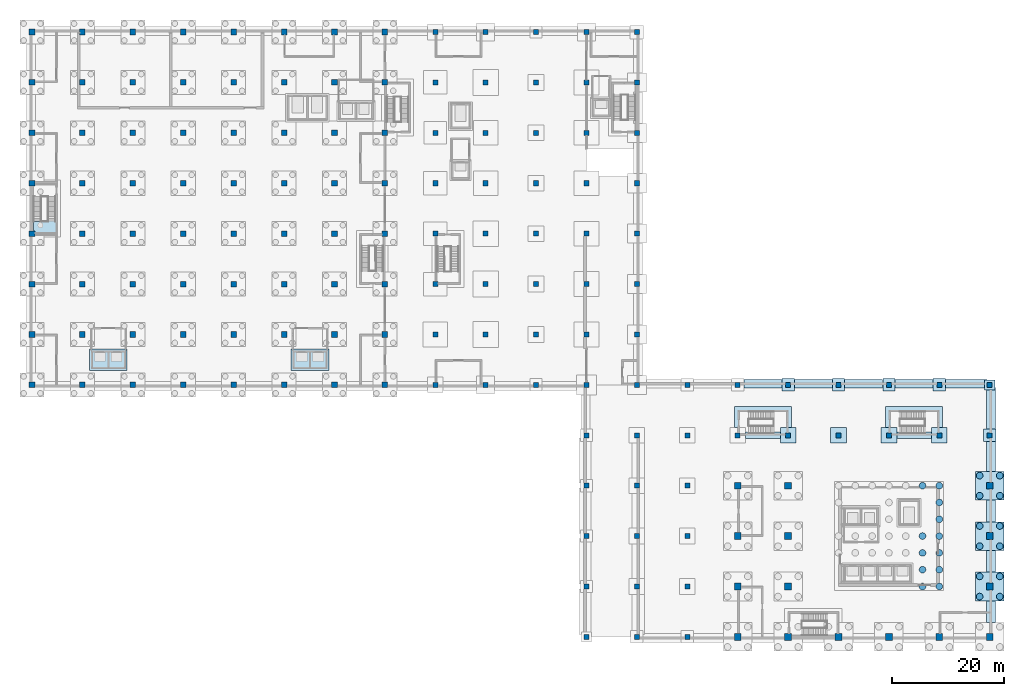
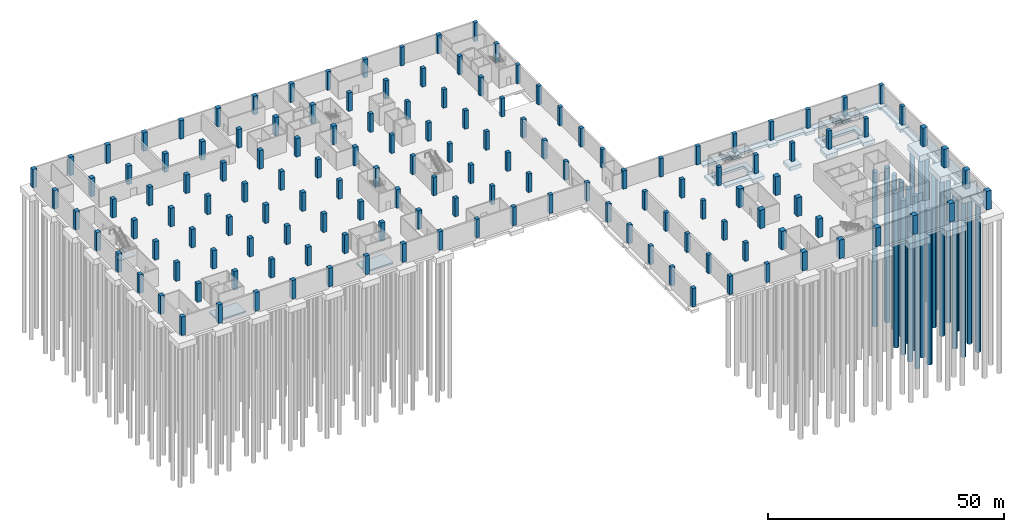
# One storey, part 4 of 17: 147 columns, 27 footings, 24 piles, 3 slabs, 1 element without a shape of its own.
"""IFC4 building model written with IfcOpenShell, lengths in metres."""

from ifc_helpers import new_model, si_unit, direction, frame, origin, origin_2d, place, context, subcontext, project, spatial, polyline, rectangle, circle, outline, extrude, material, layer, layer_set, material_profile, profile_set, type_object, element, aggregate, save


model = new_model("IFC4")

# Units and contexts
model_context = context("Model", 3, precision=1e-05, world=origin(), true_north=direction((0.0, 1.0)))
body_context = subcontext(model_context, "Body", "Model", "MODEL_VIEW")
ifc_project = project(units=[si_unit("LENGTHUNIT", "METRE"), si_unit("AREAUNIT", "SQUARE_METRE"), si_unit("VOLUMEUNIT", "CUBIC_METRE"), si_unit("PLANEANGLEUNIT", "RADIAN"), si_unit("MASSUNIT", "GRAM", prefix="KILO")], contexts=[model_context])

# Site, building, storey
site_placement = place(None, origin())
site = spatial("IfcSite", under=ifc_project, at=site_placement, CompositionType="ELEMENT")
building_placement = place(site_placement, origin())
building = spatial("IfcBuilding", under=site, at=building_placement, Name="Guidao Yard Department Store", CompositionType="ELEMENT")
storey_placement = place(building_placement, frame((0.0, 0.0, -9.89990234375)))
storey = spatial("IfcBuildingStorey", under=building, at=storey_placement, Name="B2", CompositionType="ELEMENT", Elevation=-9.89990234375)

# Piles
ifc_material_1 = material(Name="Concrete C40", Category="concrete")
ifc_material_profile_1 = material_profile(ifc_material_1, circle(Radius=0.60009765625, at=origin_2d()), Name="Bored pile D1200")
ifc_profile_set_1 = profile_set([ifc_material_profile_1], Name="Concrete C40")
pile_type = type_object("IfcPileType", Name="Bored pile D1200", PredefinedType="BORED", material=ifc_profile_set_1)
for number, where, z_axis, x_axis, name in (
    (1, (169.199951171875, 7.199951171875, -2.0), (0.0, 0.0, -1.0), (1.0, 0.0, 0.0), "Bored pile 20/B-1"),
    (2, (172.800048828125, 7.199951171875, -2.0), (0.0, 0.0, -1.0), (1.0, 0.0, 0.0), "Bored pile 20/B-2"),
    (3, (169.199951171875, 10.800048828125, -2.0), (0.0, 0.0, -1.0), (1.0, 0.0, 0.0), "Bored pile 20/B-3"),
    (4, (172.800048828125, 10.800048828125, -2.0), (0.0, 0.0, -1.0), (1.0, 0.0, 0.0), "Bored pile 20/B-4"),
    (5, (169.199951171875, 16.199951171875, -2.0), (0.0, 0.0, -1.0), (1.0, 0.0, 0.0), "Bored pile 20/C-1"),
    (6, (172.800048828125, 16.199951171875, -2.0), (0.0, 0.0, -1.0), (1.0, 0.0, 0.0), "Bored pile 20/C-2"),
    (7, (169.199951171875, 19.800048828125, -2.0), (0.0, 0.0, -1.0), (1.0, 0.0, 0.0), "Bored pile 20/C-3"),
    (8, (172.800048828125, 19.800048828125, -2.0), (0.0, 0.0, -1.0), (1.0, 0.0, 0.0), "Bored pile 20/C-4"),
    (9, (169.199951171875, 25.199951171875, -2.0), (0.0, 0.0, -1.0), (1.0, 0.0, 0.0), "Bored pile 20/D-1"),
    (10, (172.800048828125, 25.199951171875, -2.0), (0.0, 0.0, -1.0), (1.0, 0.0, 0.0), "Bored pile 20/D-2"),
    (11, (169.199951171875, 28.800048828125, -2.0), (0.0, 0.0, -1.0), (1.0, 0.0, 0.0), "Bored pile 20/D-3"),
    (12, (172.800048828125, 28.800048828125, -2.0), (0.0, 0.0, -1.0), (1.0, 0.0, 0.0), "Bored pile 20/D-4"),
    (13, (159.0, 9.0, -2.5), (0.0, 0.0, -1.0), (1.0, 0.0, 0.0), "Bored pile R006"),
    (14, (162.0, 9.0, -2.5), (0.0, 0.0, -1.0), (1.0, 0.0, 0.0), "Bored pile R007"),
    (15, (159.0, 12.0, -2.5), (0.0, 0.0, -1.0), (1.0, 0.0, 0.0), "Bored pile R013"),
    (16, (162.0, 12.0, -2.5), (0.0, 0.0, -1.0), (1.0, 0.0, 0.0), "Bored pile R014"),
    (17, (159.0, 15.0, -2.5), (0.0, 0.0, -1.0), (1.0, 0.0, 0.0), "Bored pile R020"),
    (18, (162.0, 15.0, -2.5), (0.0, 0.0, -1.0), (1.0, 0.0, 0.0), "Bored pile R021"),
    (19, (159.0, 18.0, -2.5), (0.0, 0.0, -1.0), (1.0, 0.0, 0.0), "Bored pile R027"),
    (20, (162.0, 18.0, -2.5), (0.0, 0.0, -1.0), (1.0, 0.0, 0.0), "Bored pile R028"),
    (21, (162.0, 21.0, -2.5), (0.0, 0.0, -1.0), (1.0, 0.0, 0.0), "Bored pile R035"),
    (22, (162.0, 24.0, -2.5), (0.0, 0.0, -1.0), (1.0, 0.0, 0.0), "Bored pile R042"),
    (23, (159.0, 27.0, -2.5), (0.0, 0.0, -1.0), (1.0, 0.0, 0.0), "Bored pile R048"),
    (24, (162.0, 27.0, -2.5), (0.0, 0.0, -1.0), (1.0, 0.0, 0.0), "Bored pile R049"),
):
    element("IfcPile", number, at=place(storey_placement, frame(where, z_axis=z_axis, x_axis=x_axis)), inside=storey, type_object=pile_type, Name=name, PredefinedType="BORED", context=body_context, shape_type="SweptSolid", body=[
        extrude(circle(Radius=0.60009765625, at=origin_2d()), origin(), (0.0, 0.0, 1.0), 40.0),
    ])

# Footings
ifc_material_2 = material(Name="Concrete C40", Category="concrete")
footing_type_1 = type_object("IfcFootingType", Name="Pad footing 1800x1800x700 C40", PredefinedType="PAD_FOOTING", material=ifc_material_2)
footing_1_placement = place(storey_placement, frame((171.0, 45.0, -1.2001953125), z_axis=(0.0, 0.0, 1.0), x_axis=(1.0, 0.0, 0.0)))
element("IfcFooting", 25, at=footing_1_placement, inside=storey, type_object=footing_type_1, Name="Pad footing 20/F", PredefinedType="PAD_FOOTING", context=body_context, shape_type="SweptSolid", body=[
    extrude(rectangle(XDim=1.800048828125, YDim=1.800048828125, at=origin_2d()), origin(), (0.0, 0.0, 1.0), 0.699951171875),
])
ifc_material_3 = material(Name="Concrete C40", Category="concrete")
footing_type_2 = type_object("IfcFootingType", Name="Pad footing 2200x2200x800 C40", PredefinedType="PAD_FOOTING", material=ifc_material_3)
for number, where, z_axis, x_axis, name in (
    (26, (171.0, 36.0, -1.30029296875), (0.0, 0.0, 1.0), (1.0, 0.0, 0.0), "Pad footing 20/E"),
    (27, (135.0, 45.0, -1.30029296875), (0.0, 0.0, 1.0), (1.0, 0.0, 0.0), "Pad footing 16/F"),
    (28, (144.0, 45.0, -1.30029296875), (0.0, 0.0, 1.0), (1.0, 0.0, 0.0), "Pad footing 17/F"),
    (29, (153.0, 45.0, -1.30029296875), (0.0, 0.0, 1.0), (1.0, 0.0, 0.0), "Pad footing 18/F"),
    (30, (162.0, 45.0, -1.30029296875), (0.0, 0.0, 1.0), (1.0, 0.0, 0.0), "Pad footing 19/F"),
):
    element("IfcFooting", number, at=place(storey_placement, frame(where, z_axis=z_axis, x_axis=x_axis)), inside=storey, type_object=footing_type_2, Name=name, PredefinedType="PAD_FOOTING", context=body_context, shape_type="SweptSolid", body=[
        extrude(rectangle(XDim=2.199951171875, YDim=2.199951171875, at=origin_2d()), origin(), (0.0, 0.0, 1.0), 0.800048828125),
    ])
ifc_material_4 = material(Name="Concrete C40", Category="concrete")
footing_type_3 = type_object("IfcFootingType", Name="Pad footing 2800x2800x1000 C40", PredefinedType="PAD_FOOTING", material=ifc_material_4)
for number, where, z_axis, x_axis, name in (
    (31, (135.0, 36.0, -1.5), (0.0, 0.0, 1.0), (1.0, 0.0, 0.0), "Pad footing 16/E"),
    (32, (144.0, 36.0, -1.5), (0.0, 0.0, 1.0), (1.0, 0.0, 0.0), "Pad footing 17/E"),
    (33, (153.0, 36.0, -1.5), (0.0, 0.0, 1.0), (1.0, 0.0, 0.0), "Pad footing 18/E"),
    (34, (162.0, 36.0, -1.5), (0.0, 0.0, 1.0), (1.0, 0.0, 0.0), "Pad footing 19/E"),
):
    element("IfcFooting", number, at=place(storey_placement, frame(where, z_axis=z_axis, x_axis=x_axis)), inside=storey, type_object=footing_type_3, Name=name, PredefinedType="PAD_FOOTING", context=body_context, shape_type="SweptSolid", body=[
        extrude(rectangle(XDim=2.800048828125, YDim=2.800048828125, at=origin_2d()), origin(), (0.0, 0.0, 1.0), 1.0),
    ])
ifc_material_5 = material(Name="Concrete C40", Category="concrete")
footing_type_4 = type_object("IfcFootingType", Name="Pile cap 5100x5100x1500 C40", PredefinedType="PILE_CAP", material=ifc_material_5)
for number, where, z_axis, x_axis, name in (
    (35, (171.0, 9.0, -2.0), (0.0, 0.0, 1.0), (1.0, 0.0, 0.0), "Pile cap 20/B"),
    (36, (171.0, 18.0, -2.0), (0.0, 0.0, 1.0), (1.0, 0.0, 0.0), "Pile cap 20/C"),
    (37, (171.0, 27.0, -2.0), (0.0, 0.0, 1.0), (1.0, 0.0, 0.0), "Pile cap 20/D"),
):
    element("IfcFooting", number, at=place(storey_placement, frame(where, z_axis=z_axis, x_axis=x_axis)), inside=storey, type_object=footing_type_4, Name=name, PredefinedType="PILE_CAP", context=body_context, shape_type="SweptSolid", body=[
        extrude(rectangle(XDim=5.10009765625, YDim=5.10009765625, at=origin_2d()), origin(), (0.0, 0.0, 1.0), 1.5),
    ])
ifc_material_6 = material(Name="Concrete C40", Category="concrete")
footing_type_5 = type_object("IfcFootingType", Name="Strip footing 1200x600 C40", PredefinedType="STRIP_FOOTING", material=ifc_material_6)
footing_2_placement = place(storey_placement, frame((0.0, 0.0, -1.10009765625)))
element("IfcFooting", 38, at=footing_2_placement, inside=storey, type_object=footing_type_5, Name="Strip footing SF21", PredefinedType="STRIP_FOOTING", context=body_context, shape_type="SweptSolid", body=[
    extrude(outline(polyline([(127.39990234375, 35.39990234375), (133.60009765625, 35.39990234375), (133.60009765625, 36.60009765625), (127.39990234375, 36.60009765625), (127.39990234375, 35.39990234375)])), origin(), (0.0, 0.0, 1.0), 0.60009765625),
])
footing_3_placement = place(storey_placement, frame((0.0, 0.0, -1.10009765625)))
element("IfcFooting", 39, at=footing_3_placement, inside=storey, type_object=footing_type_5, Name="Strip footing SF22", PredefinedType="STRIP_FOOTING", context=body_context, shape_type="SweptSolid", body=[
    extrude(outline(polyline([(154.39990234375, 35.39990234375), (160.60009765625, 35.39990234375), (160.60009765625, 36.60009765625), (154.39990234375, 36.60009765625), (154.39990234375, 35.39990234375)])), origin(), (0.0, 0.0, 1.0), 0.60009765625),
])
footing_4_placement = place(storey_placement, frame((0.0, 0.0, -1.10009765625)))
element("IfcFooting", 40, at=footing_4_placement, inside=storey, type_object=footing_type_5, Name="Strip footing SF25", PredefinedType="STRIP_FOOTING", context=body_context, shape_type="SweptSolid", body=[
    extrude(outline(polyline([(135.60009765625, 41.10009765625), (125.39990234375, 41.10009765625), (125.39990234375, 37.39990234375), (126.60009765625, 37.39990234375), (126.60009765625, 39.89990234375), (134.39990234375, 39.89990234375), (134.39990234375, 37.39990234375), (135.60009765625, 37.39990234375), (135.60009765625, 41.10009765625)])), origin(), (0.0, 0.0, 1.0), 0.60009765625),
])
footing_5_placement = place(storey_placement, frame((0.0, 0.0, -1.10009765625)))
element("IfcFooting", 41, at=footing_5_placement, inside=storey, type_object=footing_type_5, Name="Strip footing SF26", PredefinedType="STRIP_FOOTING", context=body_context, shape_type="SweptSolid", body=[
    extrude(outline(polyline([(162.60009765625, 41.10009765625), (152.39990234375, 41.10009765625), (152.39990234375, 37.39990234375), (153.60009765625, 37.39990234375), (153.60009765625, 39.89990234375), (161.39990234375, 39.89990234375), (161.39990234375, 37.39990234375), (162.60009765625, 37.39990234375), (162.60009765625, 41.10009765625)])), origin(), (0.0, 0.0, 1.0), 0.60009765625),
])
ifc_material_7 = material(Name="Concrete C40", Category="concrete")
footing_type_6 = type_object("IfcFootingType", Name="Strip footing 1600x600 C40", PredefinedType="STRIP_FOOTING", material=ifc_material_7)
footing_6_placement = place(storey_placement, frame((0.0, 0.0, -1.10009765625)))
element("IfcFooting", 42, at=footing_6_placement, inside=storey, type_object=footing_type_6, Name="Strip footing SF11", PredefinedType="STRIP_FOOTING", context=body_context, shape_type="SweptSolid", body=[
    extrude(outline(polyline([(170.39990234375, 6.449951171875), (170.39990234375, 2.550048828125), (172.0, 2.550048828125), (172.0, 6.449951171875), (170.39990234375, 6.449951171875)])), origin(), (0.0, 0.0, 1.0), 0.60009765625),
])
footing_7_placement = place(storey_placement, frame((0.0, 0.0, -1.10009765625)))
element("IfcFooting", 43, at=footing_7_placement, inside=storey, type_object=footing_type_6, Name="Strip footing SF14", PredefinedType="STRIP_FOOTING", context=body_context, shape_type="SweptSolid", body=[
    extrude(outline(polyline([(172.0, 11.550048828125), (172.0, 15.449951171875), (170.39990234375, 15.449951171875), (170.39990234375, 11.550048828125), (172.0, 11.550048828125)])), origin(), (0.0, 0.0, 1.0), 0.60009765625),
])
footing_8_placement = place(storey_placement, frame((0.0, 0.0, -1.10009765625)))
element("IfcFooting", 44, at=footing_8_placement, inside=storey, type_object=footing_type_6, Name="Strip footing SF17", PredefinedType="STRIP_FOOTING", context=body_context, shape_type="SweptSolid", body=[
    extrude(outline(polyline([(172.0, 20.550048828125), (172.0, 24.449951171875), (170.39990234375, 24.449951171875), (170.39990234375, 20.550048828125), (172.0, 20.550048828125)])), origin(), (0.0, 0.0, 1.0), 0.60009765625),
])
footing_9_placement = place(storey_placement, frame((0.0, 0.0, -1.10009765625)))
element("IfcFooting", 45, at=footing_9_placement, inside=storey, type_object=footing_type_6, Name="Strip footing SF20", PredefinedType="STRIP_FOOTING", context=body_context, shape_type="SweptSolid", body=[
    extrude(outline(polyline([(172.0, 29.550048828125), (172.0, 34.89990234375), (170.39990234375, 34.89990234375), (170.39990234375, 29.550048828125), (172.0, 29.550048828125)])), origin(), (0.0, 0.0, 1.0), 0.60009765625),
])
footing_10_placement = place(storey_placement, frame((0.0, 0.0, -1.10009765625)))
element("IfcFooting", 46, at=footing_10_placement, inside=storey, type_object=footing_type_6, Name="Strip footing SF24", PredefinedType="STRIP_FOOTING", context=body_context, shape_type="SweptSolid", body=[
    extrude(outline(polyline([(172.0, 44.550048828125), (171.89990234375, 44.550048828125), (171.89990234375, 44.10009765625), (170.39990234375, 44.10009765625), (170.39990234375, 37.10009765625), (172.0, 37.10009765625), (172.0, 44.550048828125)])), origin(), (0.0, 0.0, 1.0), 0.60009765625),
])
footing_11_placement = place(storey_placement, frame((0.0, 0.0, -1.10009765625)))
element("IfcFooting", 47, at=footing_11_placement, inside=storey, type_object=footing_type_6, Name="Strip footing SF40", PredefinedType="STRIP_FOOTING", context=body_context, shape_type="SweptSolid", body=[
    extrude(outline(polyline([(127.10009765625, 44.39990234375), (133.89990234375, 44.39990234375), (133.89990234375, 46.0), (127.10009765625, 46.0), (127.10009765625, 44.39990234375)])), origin(), (0.0, 0.0, 1.0), 0.60009765625),
])
footing_12_placement = place(storey_placement, frame((0.0, 0.0, -1.10009765625)))
element("IfcFooting", 48, at=footing_12_placement, inside=storey, type_object=footing_type_6, Name="Strip footing SF41", PredefinedType="STRIP_FOOTING", context=body_context, shape_type="SweptSolid", body=[
    extrude(outline(polyline([(136.10009765625, 44.39990234375), (142.89990234375, 44.39990234375), (142.89990234375, 46.0), (136.10009765625, 46.0), (136.10009765625, 44.39990234375)])), origin(), (0.0, 0.0, 1.0), 0.60009765625),
])
footing_13_placement = place(storey_placement, frame((0.0, 0.0, -1.10009765625)))
element("IfcFooting", 49, at=footing_13_placement, inside=storey, type_object=footing_type_6, Name="Strip footing SF42", PredefinedType="STRIP_FOOTING", context=body_context, shape_type="SweptSolid", body=[
    extrude(outline(polyline([(145.10009765625, 44.39990234375), (151.89990234375, 44.39990234375), (151.89990234375, 46.0), (145.10009765625, 46.0), (145.10009765625, 44.39990234375)])), origin(), (0.0, 0.0, 1.0), 0.60009765625),
])
footing_14_placement = place(storey_placement, frame((0.0, 0.0, -1.10009765625)))
element("IfcFooting", 50, at=footing_14_placement, inside=storey, type_object=footing_type_6, Name="Strip footing SF43", PredefinedType="STRIP_FOOTING", context=body_context, shape_type="SweptSolid", body=[
    extrude(outline(polyline([(154.10009765625, 44.39990234375), (160.89990234375, 44.39990234375), (160.89990234375, 46.0), (154.10009765625, 46.0), (154.10009765625, 44.39990234375)])), origin(), (0.0, 0.0, 1.0), 0.60009765625),
])
footing_15_placement = place(storey_placement, frame((0.0, 0.0, -1.10009765625)))
element("IfcFooting", 51, at=footing_15_placement, inside=storey, type_object=footing_type_6, Name="Strip footing SF44", PredefinedType="STRIP_FOOTING", context=body_context, shape_type="SweptSolid", body=[
    extrude(outline(polyline([(170.550048828125, 46.0), (163.10009765625, 46.0), (163.10009765625, 44.39990234375), (170.10009765625, 44.39990234375), (170.10009765625, 45.89990234375), (170.550048828125, 45.89990234375), (170.550048828125, 46.0)])), origin(), (0.0, 0.0, 1.0), 0.60009765625),
])

# Columns
ifc_material_8 = material(Name="Concrete C50", Category="concrete")
ifc_material_profile_2 = material_profile(ifc_material_8, rectangle(XDim=1.0, YDim=1.0, at=origin_2d()), Name="COL 1000x1000")
ifc_profile_set_2 = profile_set([ifc_material_profile_2], Name="Concrete C50")
column_type_1 = type_object("IfcColumnType", Name="Column 1000x1000 C50", PredefinedType="COLUMN", material=ifc_profile_set_2)
for number, where, z_axis, x_axis, name in (
    (52, (0.0, 45.0, 0.0), (0.0, 0.0, 1.0), (1.0, 0.0, 0.0), "Column 1/F B2"),
    (53, (9.0, 45.0, 0.0), (0.0, 0.0, 1.0), (1.0, 0.0, 0.0), "Column 2/F B2"),
    (54, (18.0, 45.0, 0.0), (0.0, 0.0, 1.0), (1.0, 0.0, 0.0), "Column 3/F B2"),
    (55, (27.0, 45.0, 0.0), (0.0, 0.0, 1.0), (1.0, 0.0, 0.0), "Column 4/F B2"),
    (56, (36.0, 45.0, 0.0), (0.0, 0.0, 1.0), (1.0, 0.0, 0.0), "Column 5/F B2"),
    (57, (45.0, 45.0, 0.0), (0.0, 0.0, 1.0), (1.0, 0.0, 0.0), "Column 6/F B2"),
    (58, (54.0, 45.0, 0.0), (0.0, 0.0, 1.0), (1.0, 0.0, 0.0), "Column 7/F B2"),
    (59, (63.0, 45.0, 0.0), (0.0, 0.0, 1.0), (1.0, 0.0, 0.0), "Column 8/F B2"),
    (60, (0.0, 54.0, 0.0), (0.0, 0.0, 1.0), (1.0, 0.0, 0.0), "Column 1/G B2"),
    (61, (9.0, 54.0, 0.0), (0.0, 0.0, 1.0), (1.0, 0.0, 0.0), "Column 2/G B2"),
    (62, (18.0, 54.0, 0.0), (0.0, 0.0, 1.0), (1.0, 0.0, 0.0), "Column 3/G B2"),
    (63, (27.0, 54.0, 0.0), (0.0, 0.0, 1.0), (1.0, 0.0, 0.0), "Column 4/G B2"),
    (64, (36.0, 54.0, 0.0), (0.0, 0.0, 1.0), (1.0, 0.0, 0.0), "Column 5/G B2"),
    (65, (45.0, 54.0, 0.0), (0.0, 0.0, 1.0), (1.0, 0.0, 0.0), "Column 6/G B2"),
    (66, (54.0, 54.0, 0.0), (0.0, 0.0, 1.0), (1.0, 0.0, 0.0), "Column 7/G B2"),
    (67, (63.0, 54.0, 0.0), (0.0, 0.0, 1.0), (1.0, 0.0, 0.0), "Column 8/G B2"),
    (68, (0.0, 63.0, 0.0), (0.0, 0.0, 1.0), (1.0, 0.0, 0.0), "Column 1/H B2"),
    (69, (9.0, 63.0, 0.0), (0.0, 0.0, 1.0), (1.0, 0.0, 0.0), "Column 2/H B2"),
    (70, (18.0, 63.0, 0.0), (0.0, 0.0, 1.0), (1.0, 0.0, 0.0), "Column 3/H B2"),
    (71, (27.0, 63.0, 0.0), (0.0, 0.0, 1.0), (1.0, 0.0, 0.0), "Column 4/H B2"),
    (72, (36.0, 63.0, 0.0), (0.0, 0.0, 1.0), (1.0, 0.0, 0.0), "Column 5/H B2"),
    (73, (45.0, 63.0, 0.0), (0.0, 0.0, 1.0), (1.0, 0.0, 0.0), "Column 6/H B2"),
    (74, (54.0, 63.0, 0.0), (0.0, 0.0, 1.0), (1.0, 0.0, 0.0), "Column 7/H B2"),
    (75, (63.0, 63.0, 0.0), (0.0, 0.0, 1.0), (1.0, 0.0, 0.0), "Column 8/H B2"),
    (76, (0.0, 72.0, 0.0), (0.0, 0.0, 1.0), (1.0, 0.0, 0.0), "Column 1/J B2"),
    (77, (9.0, 72.0, 0.0), (0.0, 0.0, 1.0), (1.0, 0.0, 0.0), "Column 2/J B2"),
    (78, (18.0, 72.0, 0.0), (0.0, 0.0, 1.0), (1.0, 0.0, 0.0), "Column 3/J B2"),
    (79, (27.0, 72.0, 0.0), (0.0, 0.0, 1.0), (1.0, 0.0, 0.0), "Column 4/J B2"),
    (80, (36.0, 72.0, 0.0), (0.0, 0.0, 1.0), (1.0, 0.0, 0.0), "Column 5/J B2"),
    (81, (45.0, 72.0, 0.0), (0.0, 0.0, 1.0), (1.0, 0.0, 0.0), "Column 6/J B2"),
    (82, (54.0, 72.0, 0.0), (0.0, 0.0, 1.0), (1.0, 0.0, 0.0), "Column 7/J B2"),
    (83, (63.0, 72.0, 0.0), (0.0, 0.0, 1.0), (1.0, 0.0, 0.0), "Column 8/J B2"),
    (84, (0.0, 81.0, 0.0), (0.0, 0.0, 1.0), (1.0, 0.0, 0.0), "Column 1/K B2"),
    (85, (9.0, 81.0, 0.0), (0.0, 0.0, 1.0), (1.0, 0.0, 0.0), "Column 2/K B2"),
    (86, (18.0, 81.0, 0.0), (0.0, 0.0, 1.0), (1.0, 0.0, 0.0), "Column 3/K B2"),
    (87, (27.0, 81.0, 0.0), (0.0, 0.0, 1.0), (1.0, 0.0, 0.0), "Column 4/K B2"),
    (88, (36.0, 81.0, 0.0), (0.0, 0.0, 1.0), (1.0, 0.0, 0.0), "Column 5/K B2"),
    (89, (45.0, 81.0, 0.0), (0.0, 0.0, 1.0), (1.0, 0.0, 0.0), "Column 6/K B2"),
    (90, (54.0, 81.0, 0.0), (0.0, 0.0, 1.0), (1.0, 0.0, 0.0), "Column 7/K B2"),
    (91, (63.0, 81.0, 0.0), (0.0, 0.0, 1.0), (1.0, 0.0, 0.0), "Column 8/K B2"),
    (92, (0.0, 90.0, 0.0), (0.0, 0.0, 1.0), (1.0, 0.0, 0.0), "Column 1/L B2"),
    (93, (9.0, 90.0, 0.0), (0.0, 0.0, 1.0), (1.0, 0.0, 0.0), "Column 2/L B2"),
    (94, (18.0, 90.0, 0.0), (0.0, 0.0, 1.0), (1.0, 0.0, 0.0), "Column 3/L B2"),
    (95, (27.0, 90.0, 0.0), (0.0, 0.0, 1.0), (1.0, 0.0, 0.0), "Column 4/L B2"),
    (96, (36.0, 90.0, 0.0), (0.0, 0.0, 1.0), (1.0, 0.0, 0.0), "Column 5/L B2"),
    (97, (45.0, 90.0, 0.0), (0.0, 0.0, 1.0), (1.0, 0.0, 0.0), "Column 6/L B2"),
    (98, (54.0, 90.0, 0.0), (0.0, 0.0, 1.0), (1.0, 0.0, 0.0), "Column 7/L B2"),
    (99, (63.0, 90.0, 0.0), (0.0, 0.0, 1.0), (1.0, 0.0, 0.0), "Column 8/L B2"),
    (100, (0.0, 99.0, 0.0), (0.0, 0.0, 1.0), (1.0, 0.0, 0.0), "Column 1/M B2"),
    (101, (9.0, 99.0, 0.0), (0.0, 0.0, 1.0), (1.0, 0.0, 0.0), "Column 2/M B2"),
    (102, (18.0, 99.0, 0.0), (0.0, 0.0, 1.0), (1.0, 0.0, 0.0), "Column 3/M B2"),
    (103, (27.0, 99.0, 0.0), (0.0, 0.0, 1.0), (1.0, 0.0, 0.0), "Column 4/M B2"),
    (104, (36.0, 99.0, 0.0), (0.0, 0.0, 1.0), (1.0, 0.0, 0.0), "Column 5/M B2"),
    (105, (45.0, 99.0, 0.0), (0.0, 0.0, 1.0), (1.0, 0.0, 0.0), "Column 6/M B2"),
    (106, (54.0, 99.0, 0.0), (0.0, 0.0, 1.0), (1.0, 0.0, 0.0), "Column 7/M B2"),
    (107, (63.0, 99.0, 0.0), (0.0, 0.0, 1.0), (1.0, 0.0, 0.0), "Column 8/M B2"),
    (108, (0.0, 108.0, 0.0), (0.0, 0.0, 1.0), (1.0, 0.0, 0.0), "Column 1/N B2"),
    (109, (9.0, 108.0, 0.0), (0.0, 0.0, 1.0), (1.0, 0.0, 0.0), "Column 2/N B2"),
    (110, (18.0, 108.0, 0.0), (0.0, 0.0, 1.0), (1.0, 0.0, 0.0), "Column 3/N B2"),
    (111, (27.0, 108.0, 0.0), (0.0, 0.0, 1.0), (1.0, 0.0, 0.0), "Column 4/N B2"),
    (112, (36.0, 108.0, 0.0), (0.0, 0.0, 1.0), (1.0, 0.0, 0.0), "Column 5/N B2"),
    (113, (45.0, 108.0, 0.0), (0.0, 0.0, 1.0), (1.0, 0.0, 0.0), "Column 6/N B2"),
    (114, (54.0, 108.0, 0.0), (0.0, 0.0, 1.0), (1.0, 0.0, 0.0), "Column 7/N B2"),
    (115, (63.0, 108.0, 0.0), (0.0, 0.0, 1.0), (1.0, 0.0, 0.0), "Column 8/N B2"),
):
    element("IfcColumn", number, at=place(storey_placement, frame(where, z_axis=z_axis, x_axis=x_axis)), inside=storey, type_object=column_type_1, Name=name, PredefinedType="COLUMN", context=body_context, shape_type="SweptSolid", body=[
        extrude(rectangle(XDim=1.0, YDim=1.0, at=origin_2d()), origin(), (0.0, 0.0, 1.0), 4.7998046875),
    ])
ifc_material_9 = material(Name="Concrete C60", Category="concrete")
ifc_material_profile_3 = material_profile(ifc_material_9, rectangle(XDim=1.199951171875, YDim=1.199951171875, at=origin_2d()), Name="COL 1200x1200")
ifc_profile_set_3 = profile_set([ifc_material_profile_3], Name="Concrete C60")
column_type_2 = type_object("IfcColumnType", Name="Column 1200x1200 C60", PredefinedType="COLUMN", material=ifc_profile_set_3)
for number, where, z_axis, x_axis, name in (
    (116, (126.0, 0.0, 0.0), (0.0, 0.0, 1.0), (1.0, 0.0, 0.0), "Column 15/A B2"),
    (117, (135.0, 0.0, 0.0), (0.0, 0.0, 1.0), (1.0, 0.0, 0.0), "Column 16/A B2"),
    (118, (144.0, 0.0, 0.0), (0.0, 0.0, 1.0), (1.0, 0.0, 0.0), "Column 17/A B2"),
    (119, (153.0, 0.0, 0.0), (0.0, 0.0, 1.0), (1.0, 0.0, 0.0), "Column 18/A B2"),
    (120, (162.0, 0.0, 0.0), (0.0, 0.0, 1.0), (1.0, 0.0, 0.0), "Column 19/A B2"),
    (121, (171.0, 0.0, 0.0), (0.0, 0.0, 1.0), (1.0, 0.0, 0.0), "Column 20/A B2"),
    (122, (126.0, 9.0, 0.0), (0.0, 0.0, 1.0), (1.0, 0.0, 0.0), "Column 15/B B2"),
    (123, (135.0, 9.0, 0.0), (0.0, 0.0, 1.0), (1.0, 0.0, 0.0), "Column 16/B B2"),
    (124, (171.0, 9.0, 0.0), (0.0, 0.0, 1.0), (1.0, 0.0, 0.0), "Column 20/B B2"),
    (125, (126.0, 18.0, 0.0), (0.0, 0.0, 1.0), (1.0, 0.0, 0.0), "Column 15/C B2"),
    (126, (135.0, 18.0, 0.0), (0.0, 0.0, 1.0), (1.0, 0.0, 0.0), "Column 16/C B2"),
    (127, (171.0, 18.0, 0.0), (0.0, 0.0, 1.0), (1.0, 0.0, 0.0), "Column 20/C B2"),
    (128, (126.0, 27.0, 0.0), (0.0, 0.0, 1.0), (1.0, 0.0, 0.0), "Column 15/D B2"),
    (129, (135.0, 27.0, 0.0), (0.0, 0.0, 1.0), (1.0, 0.0, 0.0), "Column 16/D B2"),
    (130, (171.0, 27.0, 0.0), (0.0, 0.0, 1.0), (1.0, 0.0, 0.0), "Column 20/D B2"),
):
    element("IfcColumn", number, at=place(storey_placement, frame(where, z_axis=z_axis, x_axis=x_axis)), inside=storey, type_object=column_type_2, Name=name, PredefinedType="COLUMN", context=body_context, shape_type="SweptSolid", body=[
        extrude(rectangle(XDim=1.199951171875, YDim=1.199951171875, at=origin_2d()), origin(), (0.0, 0.0, 1.0), 4.7998046875),
    ])
ifc_material_10 = material(Name="Concrete C40", Category="concrete")
ifc_material_profile_4 = material_profile(ifc_material_10, rectangle(XDim=0.89990234375, YDim=0.89990234375, at=origin_2d()), Name="COL 900x900")
ifc_profile_set_4 = profile_set([ifc_material_profile_4], Name="Concrete C40")
column_type_3 = type_object("IfcColumnType", Name="Column 900x900 C40", PredefinedType="COLUMN", material=ifc_profile_set_4)
for number, where, z_axis, x_axis, name in (
    (131, (99.0, 0.0, 0.0), (0.0, 0.0, 1.0), (1.0, 0.0, 0.0), "Column 12/A B2"),
    (132, (108.0, 0.0, 0.0), (0.0, 0.0, 1.0), (1.0, 0.0, 0.0), "Column 13/A B2"),
    (133, (117.0, 0.0, 0.0), (0.0, 0.0, 1.0), (1.0, 0.0, 0.0), "Column 14/A B2"),
    (134, (99.0, 9.0, 0.0), (0.0, 0.0, 1.0), (1.0, 0.0, 0.0), "Column 12/B B2"),
    (135, (108.0, 9.0, 0.0), (0.0, 0.0, 1.0), (1.0, 0.0, 0.0), "Column 13/B B2"),
    (136, (117.0, 9.0, 0.0), (0.0, 0.0, 1.0), (1.0, 0.0, 0.0), "Column 14/B B2"),
    (137, (99.0, 18.0, 0.0), (0.0, 0.0, 1.0), (1.0, 0.0, 0.0), "Column 12/C B2"),
    (138, (108.0, 18.0, 0.0), (0.0, 0.0, 1.0), (1.0, 0.0, 0.0), "Column 13/C B2"),
    (139, (117.0, 18.0, 0.0), (0.0, 0.0, 1.0), (1.0, 0.0, 0.0), "Column 14/C B2"),
    (140, (99.0, 27.0, 0.0), (0.0, 0.0, 1.0), (1.0, 0.0, 0.0), "Column 12/D B2"),
    (141, (108.0, 27.0, 0.0), (0.0, 0.0, 1.0), (1.0, 0.0, 0.0), "Column 13/D B2"),
    (142, (117.0, 27.0, 0.0), (0.0, 0.0, 1.0), (1.0, 0.0, 0.0), "Column 14/D B2"),
    (143, (99.0, 36.0, 0.0), (0.0, 0.0, 1.0), (1.0, 0.0, 0.0), "Column 12/E B2"),
    (144, (108.0, 36.0, 0.0), (0.0, 0.0, 1.0), (1.0, 0.0, 0.0), "Column 13/E B2"),
    (145, (117.0, 36.0, 0.0), (0.0, 0.0, 1.0), (1.0, 0.0, 0.0), "Column 14/E B2"),
    (146, (126.0, 36.0, 0.0), (0.0, 0.0, 1.0), (1.0, 0.0, 0.0), "Column 15/E B2"),
    (147, (135.0, 36.0, 0.0), (0.0, 0.0, 1.0), (1.0, 0.0, 0.0), "Column 16/E B2"),
    (148, (144.0, 36.0, 0.0), (0.0, 0.0, 1.0), (1.0, 0.0, 0.0), "Column 17/E B2"),
    (149, (153.0, 36.0, 0.0), (0.0, 0.0, 1.0), (1.0, 0.0, 0.0), "Column 18/E B2"),
    (150, (162.0, 36.0, 0.0), (0.0, 0.0, 1.0), (1.0, 0.0, 0.0), "Column 19/E B2"),
    (151, (171.0, 36.0, 0.0), (0.0, 0.0, 1.0), (1.0, 0.0, 0.0), "Column 20/E B2"),
    (152, (72.0, 45.0, 0.0), (0.0, 0.0, 1.0), (1.0, 0.0, 0.0), "Column 9/F B2"),
    (153, (81.0, 45.0, 0.0), (0.0, 0.0, 1.0), (1.0, 0.0, 0.0), "Column 10/F B2"),
    (154, (90.0, 45.0, 0.0), (0.0, 0.0, 1.0), (1.0, 0.0, 0.0), "Column 11/F B2"),
    (155, (99.0, 45.0, 0.0), (0.0, 0.0, 1.0), (1.0, 0.0, 0.0), "Column 12/F B2"),
    (156, (108.0, 45.0, 0.0), (0.0, 0.0, 1.0), (1.0, 0.0, 0.0), "Column 13/F B2"),
    (157, (117.0, 45.0, 0.0), (0.0, 0.0, 1.0), (1.0, 0.0, 0.0), "Column 14/F B2"),
    (158, (126.0, 45.0, 0.0), (0.0, 0.0, 1.0), (1.0, 0.0, 0.0), "Column 15/F B2"),
    (159, (135.0, 45.0, 0.0), (0.0, 0.0, 1.0), (1.0, 0.0, 0.0), "Column 16/F B2"),
    (160, (144.0, 45.0, 0.0), (0.0, 0.0, 1.0), (1.0, 0.0, 0.0), "Column 17/F B2"),
    (161, (153.0, 45.0, 0.0), (0.0, 0.0, 1.0), (1.0, 0.0, 0.0), "Column 18/F B2"),
    (162, (162.0, 45.0, 0.0), (0.0, 0.0, 1.0), (1.0, 0.0, 0.0), "Column 19/F B2"),
    (163, (171.0, 45.0, 0.0), (0.0, 0.0, 1.0), (1.0, 0.0, 0.0), "Column 20/F B2"),
    (164, (72.0, 54.0, 0.0), (0.0, 0.0, 1.0), (1.0, 0.0, 0.0), "Column 9/G B2"),
    (165, (81.0, 54.0, 0.0), (0.0, 0.0, 1.0), (1.0, 0.0, 0.0), "Column 10/G B2"),
    (166, (90.0, 54.0, 0.0), (0.0, 0.0, 1.0), (1.0, 0.0, 0.0), "Column 11/G B2"),
    (167, (99.0, 54.0, 0.0), (0.0, 0.0, 1.0), (1.0, 0.0, 0.0), "Column 12/G B2"),
    (168, (108.0, 54.0, 0.0), (0.0, 0.0, 1.0), (1.0, 0.0, 0.0), "Column 13/G B2"),
    (169, (72.0, 63.0, 0.0), (0.0, 0.0, 1.0), (1.0, 0.0, 0.0), "Column 9/H B2"),
    (170, (81.0, 63.0, 0.0), (0.0, 0.0, 1.0), (1.0, 0.0, 0.0), "Column 10/H B2"),
    (171, (90.0, 63.0, 0.0), (0.0, 0.0, 1.0), (1.0, 0.0, 0.0), "Column 11/H B2"),
    (172, (99.0, 63.0, 0.0), (0.0, 0.0, 1.0), (1.0, 0.0, 0.0), "Column 12/H B2"),
    (173, (108.0, 63.0, 0.0), (0.0, 0.0, 1.0), (1.0, 0.0, 0.0), "Column 13/H B2"),
    (174, (72.0, 72.0, 0.0), (0.0, 0.0, 1.0), (1.0, 0.0, 0.0), "Column 9/J B2"),
    (175, (81.0, 72.0, 0.0), (0.0, 0.0, 1.0), (1.0, 0.0, 0.0), "Column 10/J B2"),
    (176, (90.0, 72.0, 0.0), (0.0, 0.0, 1.0), (1.0, 0.0, 0.0), "Column 11/J B2"),
    (177, (99.0, 72.0, 0.0), (0.0, 0.0, 1.0), (1.0, 0.0, 0.0), "Column 12/J B2"),
    (178, (108.0, 72.0, 0.0), (0.0, 0.0, 1.0), (1.0, 0.0, 0.0), "Column 13/J B2"),
    (179, (72.0, 81.0, 0.0), (0.0, 0.0, 1.0), (1.0, 0.0, 0.0), "Column 9/K B2"),
    (180, (81.0, 81.0, 0.0), (0.0, 0.0, 1.0), (1.0, 0.0, 0.0), "Column 10/K B2"),
    (181, (90.0, 81.0, 0.0), (0.0, 0.0, 1.0), (1.0, 0.0, 0.0), "Column 11/K B2"),
    (182, (99.0, 81.0, 0.0), (0.0, 0.0, 1.0), (1.0, 0.0, 0.0), "Column 12/K B2"),
    (183, (108.0, 81.0, 0.0), (0.0, 0.0, 1.0), (1.0, 0.0, 0.0), "Column 13/K B2"),
    (184, (72.0, 90.0, 0.0), (0.0, 0.0, 1.0), (1.0, 0.0, 0.0), "Column 9/L B2"),
    (185, (81.0, 90.0, 0.0), (0.0, 0.0, 1.0), (1.0, 0.0, 0.0), "Column 10/L B2"),
    (186, (90.0, 90.0, 0.0), (0.0, 0.0, 1.0), (1.0, 0.0, 0.0), "Column 11/L B2"),
    (187, (99.0, 90.0, 0.0), (0.0, 0.0, 1.0), (1.0, 0.0, 0.0), "Column 12/L B2"),
    (188, (108.0, 90.0, 0.0), (0.0, 0.0, 1.0), (1.0, 0.0, 0.0), "Column 13/L B2"),
    (189, (72.0, 99.0, 0.0), (0.0, 0.0, 1.0), (1.0, 0.0, 0.0), "Column 9/M B2"),
    (190, (81.0, 99.0, 0.0), (0.0, 0.0, 1.0), (1.0, 0.0, 0.0), "Column 10/M B2"),
    (191, (90.0, 99.0, 0.0), (0.0, 0.0, 1.0), (1.0, 0.0, 0.0), "Column 11/M B2"),
    (192, (99.0, 99.0, 0.0), (0.0, 0.0, 1.0), (1.0, 0.0, 0.0), "Column 12/M B2"),
    (193, (108.0, 99.0, 0.0), (0.0, 0.0, 1.0), (1.0, 0.0, 0.0), "Column 13/M B2"),
    (194, (72.0, 108.0, 0.0), (0.0, 0.0, 1.0), (1.0, 0.0, 0.0), "Column 9/N B2"),
    (195, (81.0, 108.0, 0.0), (0.0, 0.0, 1.0), (1.0, 0.0, 0.0), "Column 10/N B2"),
    (196, (90.0, 108.0, 0.0), (0.0, 0.0, 1.0), (1.0, 0.0, 0.0), "Column 11/N B2"),
    (197, (99.0, 108.0, 0.0), (0.0, 0.0, 1.0), (1.0, 0.0, 0.0), "Column 12/N B2"),
    (198, (108.0, 108.0, 0.0), (0.0, 0.0, 1.0), (1.0, 0.0, 0.0), "Column 13/N B2"),
):
    element("IfcColumn", number, at=place(storey_placement, frame(where, z_axis=z_axis, x_axis=x_axis)), inside=storey, type_object=column_type_3, Name=name, PredefinedType="COLUMN", context=body_context, shape_type="SweptSolid", body=[
        extrude(rectangle(XDim=0.89990234375, YDim=0.89990234375, at=origin_2d()), origin(), (0.0, 0.0, 1.0), 4.7998046875),
    ])

# Slabs
ifc_material_11 = material(Name="Concrete C35", Category="concrete")
ifc_layer_1 = layer(ifc_material_11, 0.39990234375)
ifc_layer_set_1 = layer_set([ifc_layer_1], Name="Pit slab 400 C35")
slab_type_1 = type_object("IfcSlabType", Name="Pit slab 400 C35", PredefinedType="BASESLAB", material=ifc_layer_set_1)
slab_1_placement = place(storey_placement, frame((0.0, 0.0, -2.0)))
element("IfcSlab", 199, at=slab_1_placement, inside=storey, type_object=slab_type_1, Name="Pit slab HL1", PredefinedType="BASESLAB", context=body_context, shape_type="SweptSolid", body=[
    extrude(outline(polyline([(13.199951171875, 51.39990234375), (14.050048828125, 51.39990234375), (17.0, 51.39990234375), (17.0, 47.60009765625), (14.050048828125, 47.60009765625), (13.199951171875, 47.60009765625), (10.25, 47.60009765625), (10.25, 51.39990234375), (13.199951171875, 51.39990234375)])), origin(), (0.0, 0.0, 1.0), 0.39990234375),
])
slab_2_placement = place(storey_placement, frame((0.0, 0.0, -2.0)))
element("IfcSlab", 200, at=slab_2_placement, inside=storey, type_object=slab_type_1, Name="Pit slab HL3", PredefinedType="BASESLAB", context=body_context, shape_type="SweptSolid", body=[
    extrude(outline(polyline([(49.199951171875, 51.39990234375), (50.050048828125, 51.39990234375), (53.0, 51.39990234375), (53.0, 47.60009765625), (50.050048828125, 47.60009765625), (49.199951171875, 47.60009765625), (46.25, 47.60009765625), (46.25, 51.39990234375), (49.199951171875, 51.39990234375)])), origin(), (0.0, 0.0, 1.0), 0.39990234375),
])

# Stair, slab
ifc_material_12 = material(Name="Concrete C35", Category="concrete")
stair_type = type_object("IfcStairType", Name="Stair half-turn two-flight 1400 wide 4.8 m rise", PredefinedType="HALF_TURN_STAIR", material=ifc_material_12)
stair_placement = place(storey_placement, origin())
stair = element("IfcStair", 201, at=stair_placement, inside=storey, type_object=stair_type, Name="Basement stair H1 B2 to B1", PredefinedType="HALF_TURN_STAIR")
ifc_material_13 = material(Name="Concrete C35", Category="concrete")
ifc_layer_2 = layer(ifc_material_13, 0.25)
ifc_layer_set_2 = layer_set([ifc_layer_2], Name="Stair landing RC 250 C35")
slab_type_2 = type_object("IfcSlabType", Name="Stair landing RC 250 C35", PredefinedType="LANDING", material=ifc_layer_set_2)
slab_3_placement = place(storey_placement, frame((0.0, 0.0, 2.14990234375)))
slab_3 = element("IfcSlab", 202, at=slab_3_placement, type_object=slab_type_2, Name="BSH1-B2 landing 1", PredefinedType="LANDING", context=body_context, shape_type="SweptSolid", body=[
    extrude(outline(polyline([(0.5, 72.25), (0.5, 72.5), (0.25, 72.5), (0.25, 74.14990234375), (0.25, 74.159912109375), (1.64990234375, 74.159912109375), (1.64990234375, 74.14990234375), (2.800048828125, 74.14990234375), (2.800048828125, 76.10009765625), (4.199951171875, 76.10009765625), (4.199951171875, 74.14990234375), (4.25, 74.14990234375), (4.25, 72.25), (0.5, 72.25)])), origin(), (0.0, 0.0, 1.0), 0.25),
])
aggregate(stair, [slab_3])

save(model, "model.ifc")
